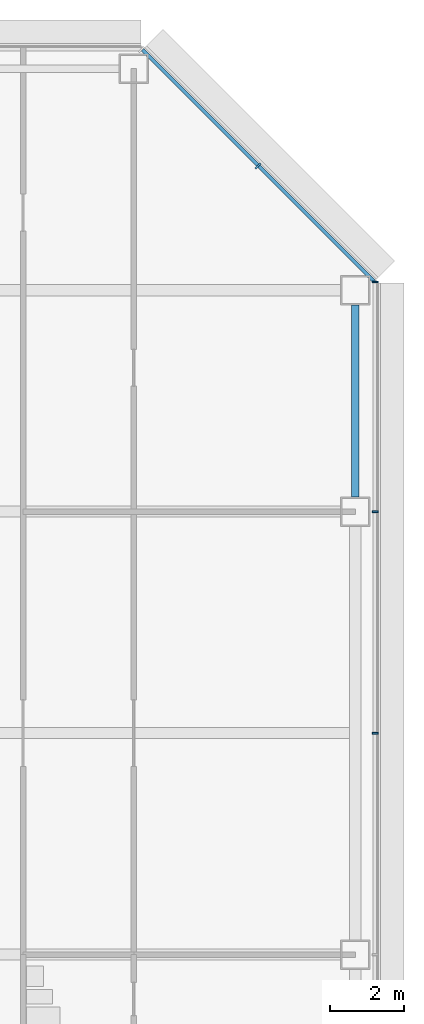
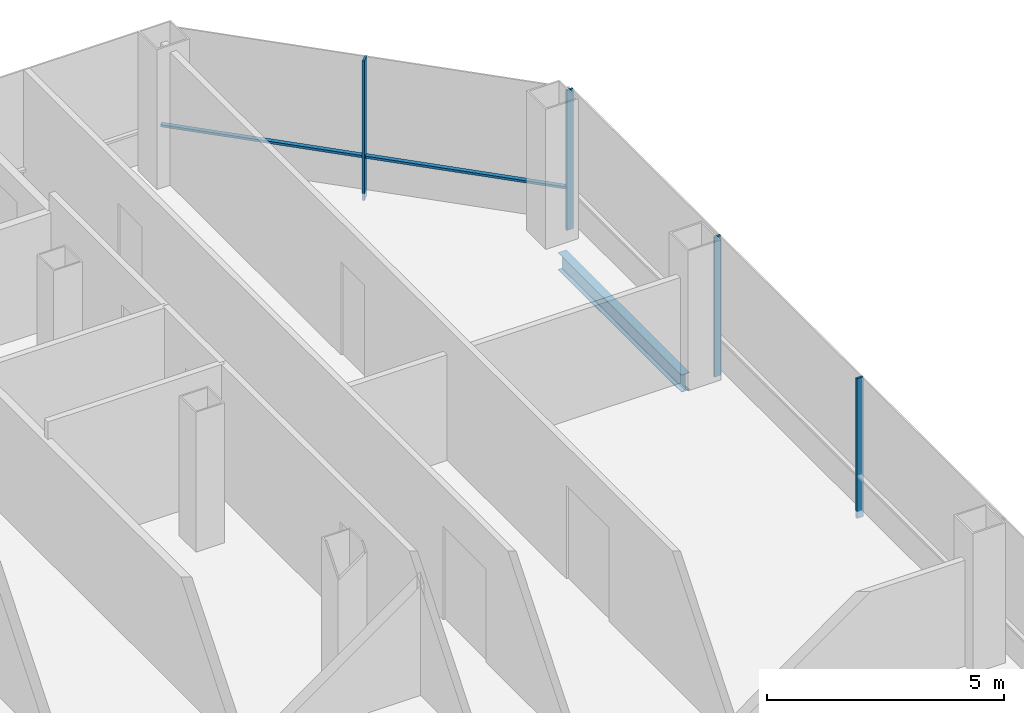
# One storey, part 17 of 25: 5 members, 1 beam, 2 elements without a shape of their own.
"""IFC4 building model written with IfcOpenShell, lengths in metres."""

from ifc_helpers import new_model, si_unit, direction, frame, origin, origin_2d, place, context, subcontext, project, spatial, rectangle, i_section, extrude, material, material_profile, profile_set, type_object, element, aggregate, save


model = new_model("IFC4")

# Units and contexts
model_context = context("Model", 3, precision=1e-05, world=origin(), true_north=direction((0.0, 1.0)))
body_context = subcontext(model_context, "Body", "Model", "MODEL_VIEW")
ifc_project = project(units=[si_unit("LENGTHUNIT", "METRE"), si_unit("AREAUNIT", "SQUARE_METRE"), si_unit("VOLUMEUNIT", "CUBIC_METRE"), si_unit("PLANEANGLEUNIT", "RADIAN"), si_unit("MASSUNIT", "GRAM", prefix="KILO")], contexts=[model_context])

# Site, building, storey
site_placement = place(None, origin())
site = spatial("IfcSite", under=ifc_project, at=site_placement, CompositionType="ELEMENT")
building_placement = place(site_placement, origin())
building = spatial("IfcBuilding", under=site, at=building_placement, Name="Sorahane Residences", CompositionType="ELEMENT")
storey_placement = place(building_placement, frame((0.0, 0.0, 130.39990234375)))
storey = spatial("IfcBuildingStorey", under=building, at=storey_placement, Name="L29", CompositionType="ELEMENT", Elevation=130.39990234375)

# Curtain wall, members
ifc_material_1 = material(Name="Dark low-e glass and black anodised aluminium", Category="aluminium")
curtain_wall_type_1 = type_object("IfcCurtainWallType", Name="Curtain wall CW-1 Typical unitised wall", PredefinedType="NOTDEFINED", material=ifc_material_1)
curtain_wall_1_placement = place(storey_placement, origin())
curtain_wall_1 = element("IfcCurtainWall", 1, at=curtain_wall_1_placement, inside=storey, type_object=curtain_wall_type_1, Name="CW-1 curtain wall L29 E1", PredefinedType="NOTDEFINED")
ifc_material_2 = material(Name="Black anodised aluminium", Category="aluminium")
ifc_material_profile_1 = material_profile(ifc_material_2, rectangle(XDim=0.159912109375, YDim=0.050048828125, at=origin_2d()), Name="Curtain wall mullion CW-1 black anodised aluminium 50x160")
ifc_profile_set_1 = profile_set([ifc_material_profile_1], Name="Black anodised aluminium")
member_type_1 = type_object("IfcMemberType", Name="Curtain wall mullion CW-1 black anodised aluminium 50x160", PredefinedType="MULLION", material=ifc_profile_set_1)
member_1_placement = place(storey_placement, frame((60.5400390625, 30.0, -0.179931640625), z_axis=(0.0, 0.0, 1.0), x_axis=(1.0, 0.0, 0.0)))
member_1 = element("IfcMember", 2, at=member_1_placement, type_object=member_type_1, Name="CW-1 mullion L29 E1.5", PredefinedType="MULLION", context=body_context, shape_type="SweptSolid", body=[
    extrude(rectangle(XDim=0.159912109375, YDim=0.050048828125, at=origin_2d()), origin(), (0.0, 0.0, 1.0), 3.60009765625),
])
member_2_placement = place(storey_placement, frame((60.5400390625, 36.0, -0.179931640625), z_axis=(0.0, 0.0, 1.0), x_axis=(1.0, 0.0, 0.0)))
member_2 = element("IfcMember", 3, at=member_2_placement, type_object=member_type_1, Name="CW-1 mullion L29 E1.6", PredefinedType="MULLION", context=body_context, shape_type="SweptSolid", body=[
    extrude(rectangle(XDim=0.159912109375, YDim=0.050048828125, at=origin_2d()), origin(), (0.0, 0.0, 1.0), 3.60009765625),
])
member_3_placement = place(storey_placement, frame((60.5400390625, 42.2236328125, -0.179931640625), z_axis=(0.0, 0.0, 1.0), x_axis=(1.0, 0.0, 0.0)))
member_3 = element("IfcMember", 4, at=member_3_placement, type_object=member_type_1, Name="CW-1 mullion L29 E1.7", PredefinedType="MULLION", context=body_context, shape_type="SweptSolid", body=[
    extrude(rectangle(XDim=0.159912109375, YDim=0.050048828125, at=origin_2d()), origin(), (0.0, 0.0, 1.0), 3.60009765625),
])
aggregate(curtain_wall_1, [member_1, member_2, member_3])

ifc_material_3 = material(Name="Dark low-e glass and black anodised aluminium", Category="aluminium")
curtain_wall_type_2 = type_object("IfcCurtainWallType", Name="Curtain wall CW-2 Chamfer unitised wall", PredefinedType="NOTDEFINED", material=ifc_material_3)
curtain_wall_2_placement = place(storey_placement, origin())
curtain_wall_2 = element("IfcCurtainWall", 5, at=curtain_wall_2_placement, inside=storey, type_object=curtain_wall_type_2, Name="CW-2 curtain wall L29 NE1", PredefinedType="NOTDEFINED")
ifc_material_4 = material(Name="Black anodised aluminium", Category="aluminium")
ifc_material_profile_2 = material_profile(ifc_material_4, rectangle(XDim=0.199951171875, YDim=0.050048828125, at=origin_2d()), Name="Curtain wall mullion CW-2 black anodised aluminium 50x200")
ifc_profile_set_2 = profile_set([ifc_material_profile_2], Name="Black anodised aluminium")
member_type_2 = type_object("IfcMemberType", Name="Curtain wall mullion CW-2 black anodised aluminium 50x200", PredefinedType="MULLION", material=ifc_profile_set_2)
member_4_placement = place(storey_placement, frame((57.36767578125, 45.36767578125, -0.179931640625), z_axis=(0.0, 0.0, 1.0), x_axis=(0.707106781187, 0.707106781187, 0.0)))
member_4 = element("IfcMember", 6, at=member_4_placement, type_object=member_type_2, Name="CW-2 mullion L29 NE1.2", PredefinedType="MULLION", context=body_context, shape_type="SweptSolid", body=[
    extrude(rectangle(XDim=0.199951171875, YDim=0.050048828125, at=origin_2d()), origin(), (0.0, 0.0, 1.0), 3.60009765625),
])
ifc_material_5 = material(Name="Black anodised aluminium", Category="aluminium")
ifc_material_profile_3 = material_profile(ifc_material_5, rectangle(XDim=0.10009765625, YDim=0.06005859375, at=origin_2d()), Name="Curtain wall transom CW-2 black anodised aluminium 60x100")
ifc_profile_set_3 = profile_set([ifc_material_profile_3], Name="Black anodised aluminium")
member_type_3 = type_object("IfcMemberType", Name="Curtain wall transom CW-2 black anodised aluminium 60x100", PredefinedType="USERDEFINED", material=ifc_profile_set_3)
member_5_placement = place(storey_placement, frame((60.51513671875, 42.234375, 0.900146484375), z_axis=(-0.707106781187, 0.707106781187, 0.0), x_axis=(-0.707106781187, -0.707106781187, 0.0)))
member_5 = element("IfcMember", 7, at=member_5_placement, type_object=member_type_3, Name="CW-2 transom L29 NE1", ObjectType="TRANSOM", PredefinedType="USERDEFINED", context=body_context, shape_type="SweptSolid", body=[
    extrude(rectangle(XDim=0.10009765625, YDim=0.06005859375, at=origin_2d()), origin(), (0.0, 0.0, 1.0), 8.88232421875),
])
aggregate(curtain_wall_2, [member_4, member_5])

# Beam
ifc_material_6 = material(Name="Steel Q355B", Category="steel")
ifc_material_profile_4 = material_profile(ifc_material_6, i_section(OverallWidth=0.199951171875, OverallDepth=0.449951171875, WebThickness=0.009033203125, FlangeThickness=0.013916015625, FilletRadius=0.02001953125, at=origin_2d()), Name="HN 450x200x9x14")
ifc_profile_set_4 = profile_set([ifc_material_profile_4], Name="Steel Q355B")
beam_type = type_object("IfcBeamType", Name="Steel floor beam HN 450x200x9x14 Q355B", PredefinedType="BEAM", material=ifc_profile_set_4)
beam_placement = place(storey_placement, frame((60.0, 36.39990234375, -0.40478515625), z_axis=(0.0, 1.0, 0.0), x_axis=(-1.0, 0.0, 0.0)))
element("IfcBeam", 8, at=beam_placement, inside=storey, type_object=beam_type, Name="Beam L29 067", PredefinedType="BEAM", context=body_context, shape_type="SweptSolid", body=[
    extrude(i_section(OverallWidth=0.199951171875, OverallDepth=0.449951171875, WebThickness=0.009033203125, FlangeThickness=0.013916015625, FilletRadius=0.02001953125, at=origin_2d()), origin(), (0.0, 0.0, 1.0), 5.2001953125),
])

save(model, "model.ifc")
